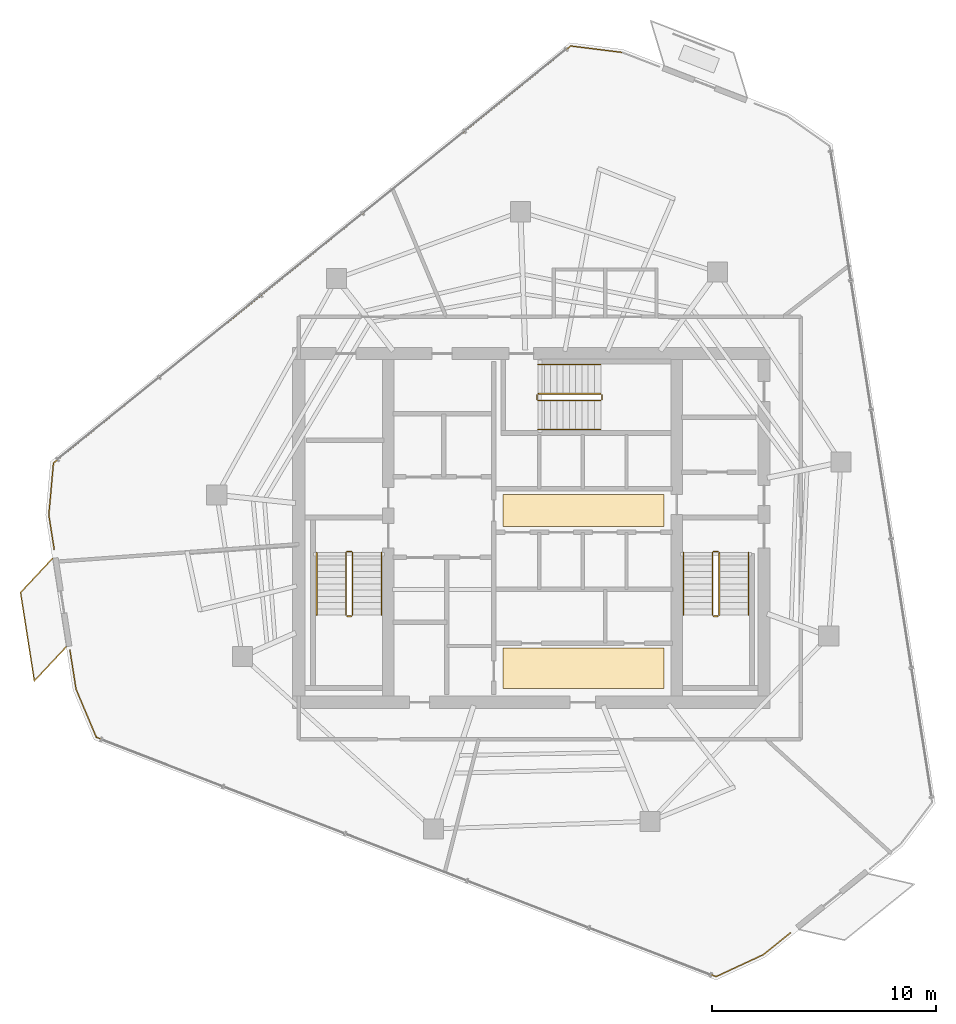
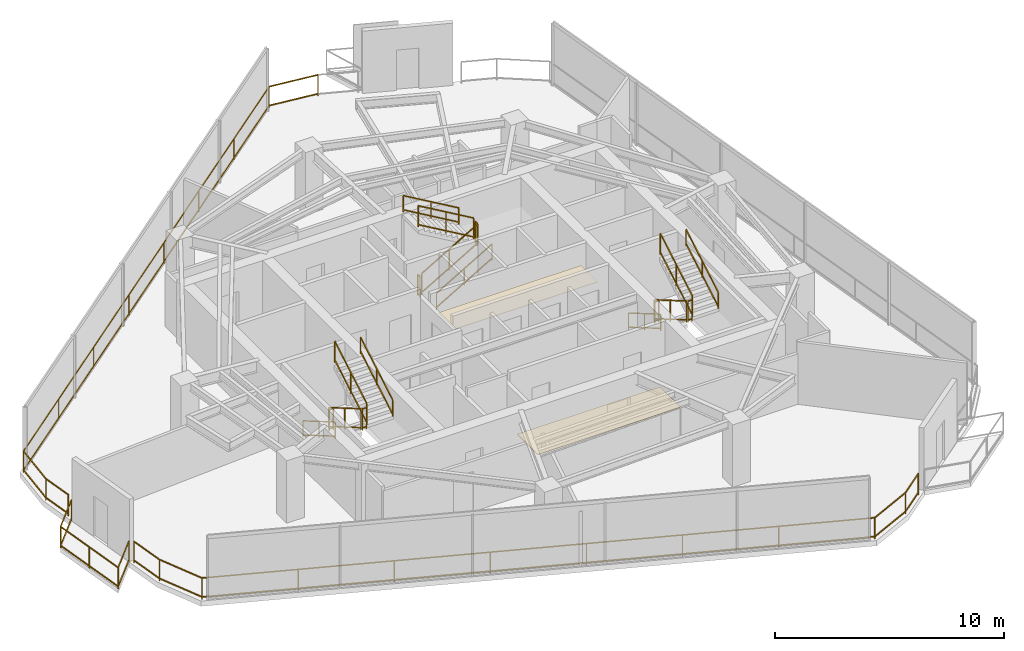
# One storey, part 18 of 19: 21 railings, 2 coverings.
"""IFC4 building model written with IfcOpenShell, lengths in metres."""

from ifc_helpers import new_model, si_unit, direction, frame, origin, origin_2d, place, context, subcontext, project, spatial, rectangle, extrude, material, layer, layer_set, type_object, element, save


model = new_model("IFC4")

# Units and contexts
model_context = context("Model", 3, precision=1e-05, world=origin(), true_north=direction((0.0, 1.0)))
body_context = subcontext(model_context, "Body", "Model", "MODEL_VIEW")
ifc_project = project(units=[si_unit("LENGTHUNIT", "METRE"), si_unit("AREAUNIT", "SQUARE_METRE"), si_unit("VOLUMEUNIT", "CUBIC_METRE"), si_unit("PLANEANGLEUNIT", "RADIAN"), si_unit("MASSUNIT", "GRAM", prefix="KILO")], contexts=[model_context])

# Site, building, storey
site_placement = place(None, origin())
site = spatial("IfcSite", under=ifc_project, at=site_placement, CompositionType="ELEMENT")
building_placement = place(site_placement, origin())
building = spatial("IfcBuilding", under=site, at=building_placement, Name="Qarnah Convention Tower", CompositionType="ELEMENT")
storey_placement = place(building_placement, frame((0.0, 0.0, 213.0)))
storey = spatial("IfcBuildingStorey", under=building, at=storey_placement, Name="L57", CompositionType="ELEMENT", Elevation=213.0)

# Coverings
ifc_material_1 = material(Name="Mineral fibre acoustic ceiling")
ifc_layer_1 = layer(ifc_material_1, 0.02001953125)
ifc_layer_set_1 = layer_set([ifc_layer_1], Name="Mineral fibre acoustic ceiling")
covering_type_1 = type_object("IfcCoveringType", Name="COV-CEIL-20", PredefinedType="CEILING", material=ifc_layer_set_1)
covering_1_placement = place(storey_placement, frame((39.52001953125, 27.179931640625, 2.2900390625), z_axis=(0.0, 0.0, 1.0), x_axis=(1.0, 0.0, 0.0)))
element("IfcCovering", 1, at=covering_1_placement, inside=storey, type_object=covering_type_1, Name="L57 lift lobby acoustic ceiling", PredefinedType="CEILING", context=body_context, shape_type="SweptSolid", body=[
    extrude(rectangle(XDim=7.199951171875, YDim=1.449951171875, at=origin_2d()), origin(), (0.0, 0.0, 1.0), 0.02001953125),
])
ifc_material_2 = material(Name="Porcelain stone floor tile", Category="masonry")
ifc_layer_2 = layer(ifc_material_2, 0.02001953125)
ifc_layer_set_2 = layer_set([ifc_layer_2], Name="Porcelain stone floor tile")
covering_type_2 = type_object("IfcCoveringType", Name="COV-FLOOR-20", PredefinedType="FLOORING", material=ifc_layer_set_2)
covering_2_placement = place(storey_placement, frame((39.52001953125, 20.1201171875, 0.0), z_axis=(0.0, 0.0, 1.0), x_axis=(1.0, 0.0, 0.0)))
element("IfcCovering", 2, at=covering_2_placement, inside=storey, type_object=covering_type_2, Name="L57 lift lobby porcelain stone flooring", PredefinedType="FLOORING", context=body_context, shape_type="SweptSolid", body=[
    extrude(rectangle(XDim=7.199951171875, YDim=1.800048828125, at=origin_2d()), origin(), (0.0, 0.0, 1.0), 0.02001953125),
])

# Railings
ifc_material_3 = material(Name="Black anodised aluminium", Category="aluminium")
railing_type_1 = type_object("IfcRailingType", Name="RL-EXT-GUARD-1150", PredefinedType="GUARDRAIL", material=ifc_material_3)
railing_1_placement = place(storey_placement, frame((48.784912109375, 8.2958984375, 0.0)))
element("IfcRailing", 3, at=railing_1_placement, inside=storey, type_object=railing_type_1, Name="L57 slab-edge perimeter safety guard 03", PredefinedType="GUARDRAIL", context=body_context, shape_type="SweptSolid", body=[
    extrude(rectangle(XDim=0.048095703125, YDim=0.048095703125, at=origin_2d()), frame((0.0, 0.0, 1.1259765625), z_axis=(-0.778575662664, -0.627550744966, 0.0), x_axis=(0.627550744966, -0.778575662664, 0.0)), (0.0, 0.0, 1.0), 1.5615234375),
    extrude(rectangle(XDim=0.048095703125, YDim=0.048095703125, at=origin_2d()), frame((0.0, 0.0, 0.1201171875), z_axis=(-0.778575662664, -0.627550744966, 0.0), x_axis=(0.627550744966, -0.778575662664, 0.0)), (0.0, 0.0, 1.0), 1.5615234375),
    extrude(rectangle(XDim=0.048095703125, YDim=0.048095703125, at=origin_2d()), frame((-1.2158203125, -0.97998046875, 1.1259765625), z_axis=(-0.907110496694, -0.420892559673, 0.0), x_axis=(0.420892559673, -0.907110496694, 0.0)), (0.0, 0.0, 1.0), 2.328369140625),
    extrude(rectangle(XDim=0.048095703125, YDim=0.048095703125, at=origin_2d()), frame((-1.2158203125, -0.97998046875, 0.1201171875), z_axis=(-0.907110496694, -0.420892559673, 0.0), x_axis=(0.420892559673, -0.907110496694, 0.0)), (0.0, 0.0, 1.0), 2.328369140625),
    extrude(rectangle(XDim=0.048095703125, YDim=0.048095703125, at=origin_2d()), frame((-3.327880859375, -1.9599609375, 1.1259765625), z_axis=(-0.932825566975, 0.360328269218, 0.0), x_axis=(-0.360328269218, -0.932825566975, 0.0)), (0.0, 0.0, 1.0), 29.7119140625),
    extrude(rectangle(XDim=0.048095703125, YDim=0.048095703125, at=origin_2d()), frame((-3.327880859375, -1.9599609375, 0.1201171875), z_axis=(-0.932825566975, 0.360328269218, 0.0), x_axis=(-0.360328269218, -0.932825566975, 0.0)), (0.0, 0.0, 1.0), 29.7119140625),
    extrude(rectangle(XDim=0.048095703125, YDim=0.048095703125, at=origin_2d()), frame((-31.0439453125, 8.74609375, 1.1259765625), z_axis=(-0.388586487526, 0.921412253941, 0.0), x_axis=(-0.921412253941, -0.388586487526, 0.0)), (0.0, 0.0, 1.0), 2.3291015625),
    extrude(rectangle(XDim=0.048095703125, YDim=0.048095703125, at=origin_2d()), frame((-31.0439453125, 8.74609375, 0.1201171875), z_axis=(-0.388586487526, 0.921412253941, 0.0), x_axis=(-0.921412253941, -0.388586487526, 0.0)), (0.0, 0.0, 1.0), 2.3291015625),
    extrude(rectangle(XDim=0.048095703125, YDim=0.048095703125, at=origin_2d()), frame((-31.948974609375, 10.89208984375, 1.1259765625), z_axis=(-0.154730245654, 0.987956755673, 0.0), x_axis=(-0.987956755673, -0.154730245654, 0.0)), (0.0, 0.0, 1.0), 1.770263671875),
    extrude(rectangle(XDim=0.048095703125, YDim=0.048095703125, at=origin_2d()), frame((-31.948974609375, 10.89208984375, 0.1201171875), z_axis=(-0.154730245654, 0.987956755673, 0.0), x_axis=(-0.987956755673, -0.154730245654, 0.0)), (0.0, 0.0, 1.0), 1.770263671875),
    extrude(rectangle(XDim=0.0419921875, YDim=0.0419921875, at=origin_2d()), origin(), (0.0, 0.0, 1.0), 1.101806640625),
    extrude(rectangle(XDim=0.0419921875, YDim=0.0419921875, at=origin_2d()), frame((-1.2158203125, -0.97998046875, 0.0)), (0.0, 0.0, 1.0), 1.101806640625),
    extrude(rectangle(XDim=0.0419921875, YDim=0.0419921875, at=origin_2d()), frame((-3.327880859375, -1.9599609375, 0.0)), (0.0, 0.0, 1.0), 1.101806640625),
    extrude(rectangle(XDim=0.0419921875, YDim=0.0419921875, at=origin_2d()), frame((-7.287353515625, -0.430419921875, 0.0)), (0.0, 0.0, 1.0), 1.101806640625),
    extrude(rectangle(XDim=0.0419921875, YDim=0.0419921875, at=origin_2d()), frame((-11.246826171875, 1.098876953125, 0.0)), (0.0, 0.0, 1.0), 1.101806640625),
    extrude(rectangle(XDim=0.0419921875, YDim=0.0419921875, at=origin_2d()), frame((-15.206298828125, 2.62841796875, 0.0)), (0.0, 0.0, 1.0), 1.101806640625),
    extrude(rectangle(XDim=0.0419921875, YDim=0.0419921875, at=origin_2d()), frame((-19.16552734375, 4.15771484375, 0.0)), (0.0, 0.0, 1.0), 1.101806640625),
    extrude(rectangle(XDim=0.0419921875, YDim=0.0419921875, at=origin_2d()), frame((-23.125, 5.687255859375, 0.0)), (0.0, 0.0, 1.0), 1.101806640625),
    extrude(rectangle(XDim=0.0419921875, YDim=0.0419921875, at=origin_2d()), frame((-27.08447265625, 7.216552734375, 0.0)), (0.0, 0.0, 1.0), 1.101806640625),
    extrude(rectangle(XDim=0.0419921875, YDim=0.0419921875, at=origin_2d()), frame((-31.0439453125, 8.74609375, 0.0)), (0.0, 0.0, 1.0), 1.101806640625),
    extrude(rectangle(XDim=0.0419921875, YDim=0.0419921875, at=origin_2d()), frame((-31.948974609375, 10.89208984375, 0.0)), (0.0, 0.0, 1.0), 1.101806640625),
    extrude(rectangle(XDim=0.0419921875, YDim=0.0419921875, at=origin_2d()), frame((-32.222900390625, 12.64111328125, 0.0)), (0.0, 0.0, 1.0), 1.101806640625),
])
railing_2_placement = place(storey_placement, frame((15.85888671875, 25.44091796875, 0.0)))
element("IfcRailing", 4, at=railing_2_placement, inside=storey, type_object=railing_type_1, Name="L57 slab-edge perimeter safety guard 04", PredefinedType="GUARDRAIL", context=body_context, shape_type="SweptSolid", body=[
    extrude(rectangle(XDim=0.048095703125, YDim=0.048095703125, at=origin_2d()), frame((0.0, 0.0, 1.1259765625), z_axis=(-0.154395967931, 0.988009051116, 0.0), x_axis=(-0.988009051116, -0.154395967931, 0.0)), (0.0, 0.0, 1.0), 1.560791015625),
    extrude(rectangle(XDim=0.048095703125, YDim=0.048095703125, at=origin_2d()), frame((0.0, 0.0, 0.1201171875), z_axis=(-0.154395967931, 0.988009051116, 0.0), x_axis=(-0.988009051116, -0.154395967931, 0.0)), (0.0, 0.0, 1.0), 1.560791015625),
    extrude(rectangle(XDim=0.048095703125, YDim=0.048095703125, at=origin_2d()), frame((-0.240966796875, 1.5419921875, 1.1259765625), z_axis=(0.089335023851, 0.996001633289, 0.0), x_axis=(-0.996001633289, 0.089335023851, 0.0)), (0.0, 0.0, 1.0), 2.328369140625),
    extrude(rectangle(XDim=0.048095703125, YDim=0.048095703125, at=origin_2d()), frame((-0.240966796875, 1.5419921875, 0.1201171875), z_axis=(0.089335023851, 0.996001633289, 0.0), x_axis=(-0.996001633289, 0.089335023851, 0.0)), (0.0, 0.0, 1.0), 2.328369140625),
    extrude(rectangle(XDim=0.048095703125, YDim=0.048095703125, at=origin_2d()), frame((-0.032958984375, 3.861083984375, 1.1259765625), z_axis=(0.778469378002, 0.627682585001, 0.0), x_axis=(-0.627682585001, 0.778469378002, 0.0)), (0.0, 0.0, 1.0), 29.71240234375),
    extrude(rectangle(XDim=0.048095703125, YDim=0.048095703125, at=origin_2d()), frame((-0.032958984375, 3.861083984375, 0.1201171875), z_axis=(0.778469378002, 0.627682585001, 0.0), x_axis=(-0.627682585001, 0.778469378002, 0.0)), (0.0, 0.0, 1.0), 29.71240234375),
    extrude(rectangle(XDim=0.048095703125, YDim=0.048095703125, at=origin_2d()), frame((23.09716796875, 22.510986328125, 1.1259765625), z_axis=(0.992274649626, -0.124060548563, 0.0), x_axis=(0.124060548563, 0.992274649626, 0.0)), (0.0, 0.0, 1.0), 2.328125),
    extrude(rectangle(XDim=0.048095703125, YDim=0.048095703125, at=origin_2d()), frame((23.09716796875, 22.510986328125, 0.1201171875), z_axis=(0.992274649626, -0.124060548563, 0.0), x_axis=(0.124060548563, 0.992274649626, 0.0)), (0.0, 0.0, 1.0), 2.328125),
    extrude(rectangle(XDim=0.0419921875, YDim=0.0419921875, at=origin_2d()), origin(), (0.0, 0.0, 1.0), 1.101806640625),
    extrude(rectangle(XDim=0.0419921875, YDim=0.0419921875, at=origin_2d()), frame((-0.240966796875, 1.5419921875, 0.0)), (0.0, 0.0, 1.0), 1.101806640625),
    extrude(rectangle(XDim=0.0419921875, YDim=0.0419921875, at=origin_2d()), frame((-0.032958984375, 3.861083984375, 0.0)), (0.0, 0.0, 1.0), 1.101806640625),
    extrude(rectangle(XDim=0.0419921875, YDim=0.0419921875, at=origin_2d()), frame((3.271240234375, 6.525390625, 0.0)), (0.0, 0.0, 1.0), 1.101806640625),
    extrude(rectangle(XDim=0.0419921875, YDim=0.0419921875, at=origin_2d()), frame((6.57568359375, 9.189697265625, 0.0)), (0.0, 0.0, 1.0), 1.101806640625),
    extrude(rectangle(XDim=0.0419921875, YDim=0.0419921875, at=origin_2d()), frame((9.8798828125, 11.85400390625, 0.0)), (0.0, 0.0, 1.0), 1.101806640625),
    extrude(rectangle(XDim=0.0419921875, YDim=0.0419921875, at=origin_2d()), frame((13.184326171875, 14.51806640625, 0.0)), (0.0, 0.0, 1.0), 1.101806640625),
    extrude(rectangle(XDim=0.0419921875, YDim=0.0419921875, at=origin_2d()), frame((16.488525390625, 17.182373046875, 0.0)), (0.0, 0.0, 1.0), 1.101806640625),
    extrude(rectangle(XDim=0.0419921875, YDim=0.0419921875, at=origin_2d()), frame((19.79296875, 19.8466796875, 0.0)), (0.0, 0.0, 1.0), 1.101806640625),
    extrude(rectangle(XDim=0.0419921875, YDim=0.0419921875, at=origin_2d()), frame((23.09716796875, 22.510986328125, 0.0)), (0.0, 0.0, 1.0), 1.101806640625),
    extrude(rectangle(XDim=0.0419921875, YDim=0.0419921875, at=origin_2d()), frame((25.4072265625, 22.22216796875, 0.0)), (0.0, 0.0, 1.0), 1.101806640625),
])
railing_3_placement = place(storey_placement, frame((16.402099609375, 21.087890625, 0.0)))
element("IfcRailing", 5, at=railing_3_placement, inside=storey, type_object=railing_type_1, Name="L57 balcony safety guard BAL-L57-C2", PredefinedType="GUARDRAIL", context=body_context, shape_type="SweptSolid", body=[
    extrude(rectangle(XDim=0.048095703125, YDim=0.048095703125, at=origin_2d()), frame((0.0, 0.0, 1.1259765625), z_axis=(-0.6836384831, -0.729820816656, 0.0), x_axis=(0.729820816656, -0.6836384831, 0.0)), (0.0, 0.0, 1.0), 2.093505859375),
    extrude(rectangle(XDim=0.048095703125, YDim=0.048095703125, at=origin_2d()), frame((0.0, 0.0, 0.1201171875), z_axis=(-0.6836384831, -0.729820816656, 0.0), x_axis=(0.729820816656, -0.6836384831, 0.0)), (0.0, 0.0, 1.0), 2.093505859375),
    extrude(rectangle(XDim=0.048095703125, YDim=0.048095703125, at=origin_2d()), frame((-1.43115234375, -1.52783203125, 1.1259765625), z_axis=(-0.154483009324, 0.987995445248, 0.0), x_axis=(-0.987995445248, -0.154483009324, 0.0)), (0.0, 0.0, 1.0), 4.0),
    extrude(rectangle(XDim=0.048095703125, YDim=0.048095703125, at=origin_2d()), frame((-1.43115234375, -1.52783203125, 0.1201171875), z_axis=(-0.154483009324, 0.987995445248, 0.0), x_axis=(-0.987995445248, -0.154483009324, 0.0)), (0.0, 0.0, 1.0), 4.0),
    extrude(rectangle(XDim=0.048095703125, YDim=0.048095703125, at=origin_2d()), frame((-2.049072265625, 2.424072265625, 1.1259765625), z_axis=(0.683766596514, 0.729700789017, 0.0), x_axis=(-0.729700789017, 0.683766596514, 0.0)), (0.0, 0.0, 1.0), 2.093994140625),
    extrude(rectangle(XDim=0.048095703125, YDim=0.048095703125, at=origin_2d()), frame((-2.049072265625, 2.424072265625, 0.1201171875), z_axis=(0.683766596514, 0.729700789017, 0.0), x_axis=(-0.729700789017, 0.683766596514, 0.0)), (0.0, 0.0, 1.0), 2.093994140625),
    extrude(rectangle(XDim=0.0419921875, YDim=0.0419921875, at=origin_2d()), origin(), (0.0, 0.0, 1.0), 1.101806640625),
    extrude(rectangle(XDim=0.0419921875, YDim=0.0419921875, at=origin_2d()), frame((-1.43115234375, -1.52783203125, 0.0)), (0.0, 0.0, 1.0), 1.101806640625),
    extrude(rectangle(XDim=0.0419921875, YDim=0.0419921875, at=origin_2d()), frame((-1.740234375, 0.4482421875, 0.0)), (0.0, 0.0, 1.0), 1.101806640625),
    extrude(rectangle(XDim=0.0419921875, YDim=0.0419921875, at=origin_2d()), frame((-2.049072265625, 2.424072265625, 0.0)), (0.0, 0.0, 1.0), 1.101806640625),
    extrude(rectangle(XDim=0.0419921875, YDim=0.0419921875, at=origin_2d()), frame((-0.6171875, 3.9521484375, 0.0)), (0.0, 0.0, 1.0), 1.101806640625),
])
ifc_material_4 = material(Name="Structural steel S355JR", Category="steel")
railing_type_2 = type_object("IfcRailingType", Name="RL-STAIR-GUARD-1150", PredefinedType="GUARDRAIL", material=ifc_material_4)
railing_4_placement = place(storey_placement, frame((28.89990234375, 25.300048828125, 0.16357421875)))
element("IfcRailing", 6, at=railing_4_placement, inside=storey, type_object=railing_type_2, Name="L57 ST-1 stair guard 1", PredefinedType="GUARDRAIL", context=body_context, shape_type="SweptSolid", body=[
    extrude(rectangle(XDim=0.048095703125, YDim=0.048095703125, at=origin_2d()), frame((0.0, 0.0, 1.1259765625), z_axis=(0.0, -0.863360870873, 0.504586966384), x_axis=(1.0, 0.0, 0.0)), (0.0, 0.0, 1.0), 3.2431640625),
    extrude(rectangle(XDim=0.048095703125, YDim=0.048095703125, at=origin_2d()), frame((0.0, 0.0, 0.1201171875), z_axis=(0.0, -0.863360870873, 0.504586966384), x_axis=(1.0, 0.0, 0.0)), (0.0, 0.0, 1.0), 3.2431640625),
    extrude(rectangle(XDim=0.0419921875, YDim=0.0419921875, at=origin_2d()), origin(), (0.0, 0.0, 1.0), 1.101806640625),
    extrude(rectangle(XDim=0.0419921875, YDim=0.0419921875, at=origin_2d()), frame((0.0, -1.39990234375, 0.818359375)), (0.0, 0.0, 1.0), 1.101806640625),
    extrude(rectangle(XDim=0.0419921875, YDim=0.0419921875, at=origin_2d()), frame((0.0, -2.800048828125, 1.636474609375)), (0.0, 0.0, 1.0), 1.101806640625),
])
railing_5_placement = place(storey_placement, frame((28.949951171875, 22.449951171875, 1.800048828125)))
element("IfcRailing", 7, at=railing_5_placement, inside=storey, type_object=railing_type_2, Name="L57 ST-1 stair guard 2", PredefinedType="GUARDRAIL", context=body_context, shape_type="SweptSolid", body=[
    extrude(rectangle(XDim=0.048095703125, YDim=0.048095703125, at=origin_2d()), frame((0.0, 0.0, 1.1259765625), z_axis=(1.0, 0.0, 0.0), x_axis=(0.0, 1.0, 0.0)), (0.0, 0.0, 1.0), 0.199951171875),
    extrude(rectangle(XDim=0.048095703125, YDim=0.048095703125, at=origin_2d()), frame((0.0, 0.0, 0.1201171875), z_axis=(1.0, 0.0, 0.0), x_axis=(0.0, 1.0, 0.0)), (0.0, 0.0, 1.0), 0.199951171875),
    extrude(rectangle(XDim=0.0419921875, YDim=0.0419921875, at=origin_2d()), origin(), (0.0, 0.0, 1.0), 1.101806640625),
    extrude(rectangle(XDim=0.0419921875, YDim=0.0419921875, at=origin_2d()), frame((0.199951171875, 0.0, 0.0)), (0.0, 0.0, 1.0), 1.101806640625),
])
railing_6_placement = place(storey_placement, frame((29.199951171875, 22.5, 1.963623046875)))
element("IfcRailing", 8, at=railing_6_placement, inside=storey, type_object=railing_type_2, Name="L57 ST-1 stair guard 3", PredefinedType="GUARDRAIL", context=body_context, shape_type="SweptSolid", body=[
    extrude(rectangle(XDim=0.048095703125, YDim=0.048095703125, at=origin_2d()), frame((0.0, 0.0, 1.1259765625), z_axis=(0.0, 0.863360870873, 0.504586966384), x_axis=(-1.0, 0.0, 0.0)), (0.0, 0.0, 1.0), 3.2431640625),
    extrude(rectangle(XDim=0.048095703125, YDim=0.048095703125, at=origin_2d()), frame((0.0, 0.0, 0.1201171875), z_axis=(0.0, 0.863360870873, 0.504586966384), x_axis=(-1.0, 0.0, 0.0)), (0.0, 0.0, 1.0), 3.2431640625),
    extrude(rectangle(XDim=0.0419921875, YDim=0.0419921875, at=origin_2d()), origin(), (0.0, 0.0, 1.0), 1.101806640625),
    extrude(rectangle(XDim=0.0419921875, YDim=0.0419921875, at=origin_2d()), frame((0.0, 1.39990234375, 0.818359375)), (0.0, 0.0, 1.0), 1.101806640625),
    extrude(rectangle(XDim=0.0419921875, YDim=0.0419921875, at=origin_2d()), frame((0.0, 2.800048828125, 1.636474609375)), (0.0, 0.0, 1.0), 1.101806640625),
])
railing_7_placement = place(storey_placement, frame((28.949951171875, 25.35009765625, 0.0)))
element("IfcRailing", 9, at=railing_7_placement, inside=storey, type_object=railing_type_2, Name="L57 ST-1 stair guard 4", PredefinedType="GUARDRAIL", context=body_context, shape_type="SweptSolid", body=[
    extrude(rectangle(XDim=0.048095703125, YDim=0.048095703125, at=origin_2d()), frame((0.0, 0.0, 1.1259765625), z_axis=(1.0, 0.0, 0.0), x_axis=(0.0, 1.0, 0.0)), (0.0, 0.0, 1.0), 0.199951171875),
    extrude(rectangle(XDim=0.048095703125, YDim=0.048095703125, at=origin_2d()), frame((0.0, 0.0, 0.1201171875), z_axis=(1.0, 0.0, 0.0), x_axis=(0.0, 1.0, 0.0)), (0.0, 0.0, 1.0), 0.199951171875),
    extrude(rectangle(XDim=0.0419921875, YDim=0.0419921875, at=origin_2d()), origin(), (0.0, 0.0, 1.0), 1.101806640625),
    extrude(rectangle(XDim=0.0419921875, YDim=0.0419921875, at=origin_2d()), frame((0.199951171875, 0.0, 0.0)), (0.0, 0.0, 1.0), 1.101806640625),
])
railing_8_placement = place(storey_placement, frame((45.300048828125, 25.300048828125, 0.16357421875)))
element("IfcRailing", 10, at=railing_8_placement, inside=storey, type_object=railing_type_2, Name="L57 ST-2 stair guard 1", PredefinedType="GUARDRAIL", context=body_context, shape_type="SweptSolid", body=[
    extrude(rectangle(XDim=0.048095703125, YDim=0.048095703125, at=origin_2d()), frame((0.0, 0.0, 1.1259765625), z_axis=(0.0, -0.863360870873, 0.504586966384), x_axis=(1.0, 0.0, 0.0)), (0.0, 0.0, 1.0), 3.2431640625),
    extrude(rectangle(XDim=0.048095703125, YDim=0.048095703125, at=origin_2d()), frame((0.0, 0.0, 0.1201171875), z_axis=(0.0, -0.863360870873, 0.504586966384), x_axis=(1.0, 0.0, 0.0)), (0.0, 0.0, 1.0), 3.2431640625),
    extrude(rectangle(XDim=0.0419921875, YDim=0.0419921875, at=origin_2d()), origin(), (0.0, 0.0, 1.0), 1.101806640625),
    extrude(rectangle(XDim=0.0419921875, YDim=0.0419921875, at=origin_2d()), frame((0.0, -1.39990234375, 0.818359375)), (0.0, 0.0, 1.0), 1.101806640625),
    extrude(rectangle(XDim=0.0419921875, YDim=0.0419921875, at=origin_2d()), frame((0.0, -2.800048828125, 1.636474609375)), (0.0, 0.0, 1.0), 1.101806640625),
])
railing_9_placement = place(storey_placement, frame((45.35009765625, 22.449951171875, 1.800048828125)))
element("IfcRailing", 11, at=railing_9_placement, inside=storey, type_object=railing_type_2, Name="L57 ST-2 stair guard 2", PredefinedType="GUARDRAIL", context=body_context, shape_type="SweptSolid", body=[
    extrude(rectangle(XDim=0.048095703125, YDim=0.048095703125, at=origin_2d()), frame((0.0, 0.0, 1.1259765625), z_axis=(1.0, 0.0, 0.0), x_axis=(0.0, 1.0, 0.0)), (0.0, 0.0, 1.0), 0.199951171875),
    extrude(rectangle(XDim=0.048095703125, YDim=0.048095703125, at=origin_2d()), frame((0.0, 0.0, 0.1201171875), z_axis=(1.0, 0.0, 0.0), x_axis=(0.0, 1.0, 0.0)), (0.0, 0.0, 1.0), 0.199951171875),
    extrude(rectangle(XDim=0.0419921875, YDim=0.0419921875, at=origin_2d()), origin(), (0.0, 0.0, 1.0), 1.101806640625),
    extrude(rectangle(XDim=0.0419921875, YDim=0.0419921875, at=origin_2d()), frame((0.199951171875, 0.0, 0.0)), (0.0, 0.0, 1.0), 1.101806640625),
])
railing_10_placement = place(storey_placement, frame((45.60009765625, 22.5, 1.963623046875)))
element("IfcRailing", 12, at=railing_10_placement, inside=storey, type_object=railing_type_2, Name="L57 ST-2 stair guard 3", PredefinedType="GUARDRAIL", context=body_context, shape_type="SweptSolid", body=[
    extrude(rectangle(XDim=0.048095703125, YDim=0.048095703125, at=origin_2d()), frame((0.0, 0.0, 1.1259765625), z_axis=(0.0, 0.863360870873, 0.504586966384), x_axis=(-1.0, 0.0, 0.0)), (0.0, 0.0, 1.0), 3.2431640625),
    extrude(rectangle(XDim=0.048095703125, YDim=0.048095703125, at=origin_2d()), frame((0.0, 0.0, 0.1201171875), z_axis=(0.0, 0.863360870873, 0.504586966384), x_axis=(-1.0, 0.0, 0.0)), (0.0, 0.0, 1.0), 3.2431640625),
    extrude(rectangle(XDim=0.0419921875, YDim=0.0419921875, at=origin_2d()), origin(), (0.0, 0.0, 1.0), 1.101806640625),
    extrude(rectangle(XDim=0.0419921875, YDim=0.0419921875, at=origin_2d()), frame((0.0, 1.39990234375, 0.818359375)), (0.0, 0.0, 1.0), 1.101806640625),
    extrude(rectangle(XDim=0.0419921875, YDim=0.0419921875, at=origin_2d()), frame((0.0, 2.800048828125, 1.636474609375)), (0.0, 0.0, 1.0), 1.101806640625),
])
railing_11_placement = place(storey_placement, frame((45.35009765625, 25.35009765625, 0.0)))
element("IfcRailing", 13, at=railing_11_placement, inside=storey, type_object=railing_type_2, Name="L57 ST-2 stair guard 4", PredefinedType="GUARDRAIL", context=body_context, shape_type="SweptSolid", body=[
    extrude(rectangle(XDim=0.048095703125, YDim=0.048095703125, at=origin_2d()), frame((0.0, 0.0, 1.1259765625), z_axis=(1.0, 0.0, 0.0), x_axis=(0.0, 1.0, 0.0)), (0.0, 0.0, 1.0), 0.199951171875),
    extrude(rectangle(XDim=0.048095703125, YDim=0.048095703125, at=origin_2d()), frame((0.0, 0.0, 0.1201171875), z_axis=(1.0, 0.0, 0.0), x_axis=(0.0, 1.0, 0.0)), (0.0, 0.0, 1.0), 0.199951171875),
    extrude(rectangle(XDim=0.0419921875, YDim=0.0419921875, at=origin_2d()), origin(), (0.0, 0.0, 1.0), 1.101806640625),
    extrude(rectangle(XDim=0.0419921875, YDim=0.0419921875, at=origin_2d()), frame((0.199951171875, 0.0, 0.0)), (0.0, 0.0, 1.0), 1.101806640625),
])
railing_12_placement = place(storey_placement, frame((37.5, 32.10009765625, 0.16357421875)))
element("IfcRailing", 14, at=railing_12_placement, inside=storey, type_object=railing_type_2, Name="L57 ST-3 stair guard 1", PredefinedType="GUARDRAIL", context=body_context, shape_type="SweptSolid", body=[
    extrude(rectangle(XDim=0.048095703125, YDim=0.048095703125, at=origin_2d()), frame((0.0, 0.0, 1.1259765625), z_axis=(0.863360870873, 0.0, 0.504586966384), x_axis=(0.0, 1.0, 0.0)), (0.0, 0.0, 1.0), 3.2431640625),
    extrude(rectangle(XDim=0.048095703125, YDim=0.048095703125, at=origin_2d()), frame((0.0, 0.0, 0.1201171875), z_axis=(0.863360870873, 0.0, 0.504586966384), x_axis=(0.0, 1.0, 0.0)), (0.0, 0.0, 1.0), 3.2431640625),
    extrude(rectangle(XDim=0.0419921875, YDim=0.0419921875, at=origin_2d()), origin(), (0.0, 0.0, 1.0), 1.101806640625),
    extrude(rectangle(XDim=0.0419921875, YDim=0.0419921875, at=origin_2d()), frame((1.39990234375, 0.0, 0.818359375)), (0.0, 0.0, 1.0), 1.101806640625),
    extrude(rectangle(XDim=0.0419921875, YDim=0.0419921875, at=origin_2d()), frame((2.800048828125, 0.0, 1.636474609375)), (0.0, 0.0, 1.0), 1.101806640625),
])
railing_13_placement = place(storey_placement, frame((40.35009765625, 32.14990234375, 1.800048828125)))
element("IfcRailing", 15, at=railing_13_placement, inside=storey, type_object=railing_type_2, Name="L57 ST-3 stair guard 2", PredefinedType="GUARDRAIL", context=body_context, shape_type="SweptSolid", body=[
    extrude(rectangle(XDim=0.048095703125, YDim=0.048095703125, at=origin_2d()), frame((0.0, 0.0, 1.1259765625), z_axis=(0.0, 1.0, 0.0), x_axis=(-1.0, 0.0, 0.0)), (0.0, 0.0, 1.0), 0.2001953125),
    extrude(rectangle(XDim=0.048095703125, YDim=0.048095703125, at=origin_2d()), frame((0.0, 0.0, 0.1201171875), z_axis=(0.0, 1.0, 0.0), x_axis=(-1.0, 0.0, 0.0)), (0.0, 0.0, 1.0), 0.2001953125),
    extrude(rectangle(XDim=0.0419921875, YDim=0.0419921875, at=origin_2d()), origin(), (0.0, 0.0, 1.0), 1.101806640625),
    extrude(rectangle(XDim=0.0419921875, YDim=0.0419921875, at=origin_2d()), frame((0.0, 0.2001953125, 0.0)), (0.0, 0.0, 1.0), 1.101806640625),
])
railing_14_placement = place(storey_placement, frame((40.300048828125, 32.39990234375, 1.963623046875)))
element("IfcRailing", 16, at=railing_14_placement, inside=storey, type_object=railing_type_2, Name="L57 ST-3 stair guard 3", PredefinedType="GUARDRAIL", context=body_context, shape_type="SweptSolid", body=[
    extrude(rectangle(XDim=0.048095703125, YDim=0.048095703125, at=origin_2d()), frame((0.0, 0.0, 1.1259765625), z_axis=(-0.863360870873, 0.0, 0.504586966384), x_axis=(0.0, -1.0, 0.0)), (0.0, 0.0, 1.0), 3.2431640625),
    extrude(rectangle(XDim=0.048095703125, YDim=0.048095703125, at=origin_2d()), frame((0.0, 0.0, 0.1201171875), z_axis=(-0.863360870873, 0.0, 0.504586966384), x_axis=(0.0, -1.0, 0.0)), (0.0, 0.0, 1.0), 3.2431640625),
    extrude(rectangle(XDim=0.0419921875, YDim=0.0419921875, at=origin_2d()), origin(), (0.0, 0.0, 1.0), 1.101806640625),
    extrude(rectangle(XDim=0.0419921875, YDim=0.0419921875, at=origin_2d()), frame((-1.39990234375, 0.0, 0.818359375)), (0.0, 0.0, 1.0), 1.101806640625),
    extrude(rectangle(XDim=0.0419921875, YDim=0.0419921875, at=origin_2d()), frame((-2.800048828125, 0.0, 1.636474609375)), (0.0, 0.0, 1.0), 1.101806640625),
])
railing_15_placement = place(storey_placement, frame((37.449951171875, 32.14990234375, 0.0)))
element("IfcRailing", 17, at=railing_15_placement, inside=storey, type_object=railing_type_2, Name="L57 ST-3 stair guard 4", PredefinedType="GUARDRAIL", context=body_context, shape_type="SweptSolid", body=[
    extrude(rectangle(XDim=0.048095703125, YDim=0.048095703125, at=origin_2d()), frame((0.0, 0.0, 1.1259765625), z_axis=(0.0, 1.0, 0.0), x_axis=(-1.0, 0.0, 0.0)), (0.0, 0.0, 1.0), 0.2001953125),
    extrude(rectangle(XDim=0.048095703125, YDim=0.048095703125, at=origin_2d()), frame((0.0, 0.0, 0.1201171875), z_axis=(0.0, 1.0, 0.0), x_axis=(-1.0, 0.0, 0.0)), (0.0, 0.0, 1.0), 0.2001953125),
    extrude(rectangle(XDim=0.0419921875, YDim=0.0419921875, at=origin_2d()), origin(), (0.0, 0.0, 1.0), 1.101806640625),
    extrude(rectangle(XDim=0.0419921875, YDim=0.0419921875, at=origin_2d()), frame((0.0, 0.2001953125, 0.0)), (0.0, 0.0, 1.0), 1.101806640625),
])
railing_type_3 = type_object("IfcRailingType", Name="RL-STAIR-HAND-900", PredefinedType="HANDRAIL", material=ifc_material_4)
railing_16_placement = place(storey_placement, frame((27.60009765625, 25.300048828125, 0.16357421875)))
element("IfcRailing", 18, at=railing_16_placement, inside=storey, type_object=railing_type_3, Name="L57 ST-1 stair handrail 1", PredefinedType="HANDRAIL", context=body_context, shape_type="SweptSolid", body=[
    extrude(rectangle(XDim=0.048095703125, YDim=0.048095703125, at=origin_2d()), frame((0.0, 0.0, 0.8759765625), z_axis=(0.0, -0.863360870873, 0.504586966384), x_axis=(1.0, 0.0, 0.0)), (0.0, 0.0, 1.0), 3.2431640625),
    extrude(rectangle(XDim=0.048095703125, YDim=0.048095703125, at=origin_2d()), frame((0.0, 0.0, 0.1201171875), z_axis=(0.0, -0.863360870873, 0.504586966384), x_axis=(1.0, 0.0, 0.0)), (0.0, 0.0, 1.0), 3.2431640625),
    extrude(rectangle(XDim=0.0419921875, YDim=0.0419921875, at=origin_2d()), origin(), (0.0, 0.0, 1.0), 0.851806640625),
    extrude(rectangle(XDim=0.0419921875, YDim=0.0419921875, at=origin_2d()), frame((0.0, -1.39990234375, 0.818359375)), (0.0, 0.0, 1.0), 0.851806640625),
    extrude(rectangle(XDim=0.0419921875, YDim=0.0419921875, at=origin_2d()), frame((0.0, -2.800048828125, 1.636474609375)), (0.0, 0.0, 1.0), 0.851806640625),
])
railing_17_placement = place(storey_placement, frame((30.5, 22.5, 1.963623046875)))
element("IfcRailing", 19, at=railing_17_placement, inside=storey, type_object=railing_type_3, Name="L57 ST-1 stair handrail 2", PredefinedType="HANDRAIL", context=body_context, shape_type="SweptSolid", body=[
    extrude(rectangle(XDim=0.048095703125, YDim=0.048095703125, at=origin_2d()), frame((0.0, 0.0, 0.8759765625), z_axis=(0.0, 0.863360870873, 0.504586966384), x_axis=(-1.0, 0.0, 0.0)), (0.0, 0.0, 1.0), 3.2431640625),
    extrude(rectangle(XDim=0.048095703125, YDim=0.048095703125, at=origin_2d()), frame((0.0, 0.0, 0.1201171875), z_axis=(0.0, 0.863360870873, 0.504586966384), x_axis=(-1.0, 0.0, 0.0)), (0.0, 0.0, 1.0), 3.2431640625),
    extrude(rectangle(XDim=0.0419921875, YDim=0.0419921875, at=origin_2d()), origin(), (0.0, 0.0, 1.0), 0.851806640625),
    extrude(rectangle(XDim=0.0419921875, YDim=0.0419921875, at=origin_2d()), frame((0.0, 1.39990234375, 0.818359375)), (0.0, 0.0, 1.0), 0.851806640625),
    extrude(rectangle(XDim=0.0419921875, YDim=0.0419921875, at=origin_2d()), frame((0.0, 2.800048828125, 1.636474609375)), (0.0, 0.0, 1.0), 0.851806640625),
])
railing_18_placement = place(storey_placement, frame((44.0, 25.300048828125, 0.16357421875)))
element("IfcRailing", 20, at=railing_18_placement, inside=storey, type_object=railing_type_3, Name="L57 ST-2 stair handrail 1", PredefinedType="HANDRAIL", context=body_context, shape_type="SweptSolid", body=[
    extrude(rectangle(XDim=0.048095703125, YDim=0.048095703125, at=origin_2d()), frame((0.0, 0.0, 0.8759765625), z_axis=(0.0, -0.863360870873, 0.504586966384), x_axis=(1.0, 0.0, 0.0)), (0.0, 0.0, 1.0), 3.2431640625),
    extrude(rectangle(XDim=0.048095703125, YDim=0.048095703125, at=origin_2d()), frame((0.0, 0.0, 0.1201171875), z_axis=(0.0, -0.863360870873, 0.504586966384), x_axis=(1.0, 0.0, 0.0)), (0.0, 0.0, 1.0), 3.2431640625),
    extrude(rectangle(XDim=0.0419921875, YDim=0.0419921875, at=origin_2d()), origin(), (0.0, 0.0, 1.0), 0.851806640625),
    extrude(rectangle(XDim=0.0419921875, YDim=0.0419921875, at=origin_2d()), frame((0.0, -1.39990234375, 0.818359375)), (0.0, 0.0, 1.0), 0.851806640625),
    extrude(rectangle(XDim=0.0419921875, YDim=0.0419921875, at=origin_2d()), frame((0.0, -2.800048828125, 1.636474609375)), (0.0, 0.0, 1.0), 0.851806640625),
])
railing_19_placement = place(storey_placement, frame((46.89990234375, 22.5, 1.963623046875)))
element("IfcRailing", 21, at=railing_19_placement, inside=storey, type_object=railing_type_3, Name="L57 ST-2 stair handrail 2", PredefinedType="HANDRAIL", context=body_context, shape_type="SweptSolid", body=[
    extrude(rectangle(XDim=0.048095703125, YDim=0.048095703125, at=origin_2d()), frame((0.0, 0.0, 0.8759765625), z_axis=(0.0, 0.863360870873, 0.504586966384), x_axis=(-1.0, 0.0, 0.0)), (0.0, 0.0, 1.0), 3.2431640625),
    extrude(rectangle(XDim=0.048095703125, YDim=0.048095703125, at=origin_2d()), frame((0.0, 0.0, 0.1201171875), z_axis=(0.0, 0.863360870873, 0.504586966384), x_axis=(-1.0, 0.0, 0.0)), (0.0, 0.0, 1.0), 3.2431640625),
    extrude(rectangle(XDim=0.0419921875, YDim=0.0419921875, at=origin_2d()), origin(), (0.0, 0.0, 1.0), 0.851806640625),
    extrude(rectangle(XDim=0.0419921875, YDim=0.0419921875, at=origin_2d()), frame((0.0, 1.39990234375, 0.818359375)), (0.0, 0.0, 1.0), 0.851806640625),
    extrude(rectangle(XDim=0.0419921875, YDim=0.0419921875, at=origin_2d()), frame((0.0, 2.800048828125, 1.636474609375)), (0.0, 0.0, 1.0), 0.851806640625),
])
railing_20_placement = place(storey_placement, frame((37.5, 30.800048828125, 0.16357421875)))
element("IfcRailing", 22, at=railing_20_placement, inside=storey, type_object=railing_type_3, Name="L57 ST-3 stair handrail 1", PredefinedType="HANDRAIL", context=body_context, shape_type="SweptSolid", body=[
    extrude(rectangle(XDim=0.048095703125, YDim=0.048095703125, at=origin_2d()), frame((0.0, 0.0, 0.8759765625), z_axis=(0.863360870873, 0.0, 0.504586966384), x_axis=(0.0, 1.0, 0.0)), (0.0, 0.0, 1.0), 3.2431640625),
    extrude(rectangle(XDim=0.048095703125, YDim=0.048095703125, at=origin_2d()), frame((0.0, 0.0, 0.1201171875), z_axis=(0.863360870873, 0.0, 0.504586966384), x_axis=(0.0, 1.0, 0.0)), (0.0, 0.0, 1.0), 3.2431640625),
    extrude(rectangle(XDim=0.0419921875, YDim=0.0419921875, at=origin_2d()), origin(), (0.0, 0.0, 1.0), 0.851806640625),
    extrude(rectangle(XDim=0.0419921875, YDim=0.0419921875, at=origin_2d()), frame((1.39990234375, 0.0, 0.818359375)), (0.0, 0.0, 1.0), 0.851806640625),
    extrude(rectangle(XDim=0.0419921875, YDim=0.0419921875, at=origin_2d()), frame((2.800048828125, 0.0, 1.636474609375)), (0.0, 0.0, 1.0), 0.851806640625),
])
railing_21_placement = place(storey_placement, frame((40.300048828125, 33.699951171875, 1.963623046875)))
element("IfcRailing", 23, at=railing_21_placement, inside=storey, type_object=railing_type_3, Name="L57 ST-3 stair handrail 2", PredefinedType="HANDRAIL", context=body_context, shape_type="SweptSolid", body=[
    extrude(rectangle(XDim=0.048095703125, YDim=0.048095703125, at=origin_2d()), frame((0.0, 0.0, 0.8759765625), z_axis=(-0.863360870873, 0.0, 0.504586966384), x_axis=(0.0, -1.0, 0.0)), (0.0, 0.0, 1.0), 3.2431640625),
    extrude(rectangle(XDim=0.048095703125, YDim=0.048095703125, at=origin_2d()), frame((0.0, 0.0, 0.1201171875), z_axis=(-0.863360870873, 0.0, 0.504586966384), x_axis=(0.0, -1.0, 0.0)), (0.0, 0.0, 1.0), 3.2431640625),
    extrude(rectangle(XDim=0.0419921875, YDim=0.0419921875, at=origin_2d()), origin(), (0.0, 0.0, 1.0), 0.851806640625),
    extrude(rectangle(XDim=0.0419921875, YDim=0.0419921875, at=origin_2d()), frame((-1.39990234375, 0.0, 0.818359375)), (0.0, 0.0, 1.0), 0.851806640625),
    extrude(rectangle(XDim=0.0419921875, YDim=0.0419921875, at=origin_2d()), frame((-2.800048828125, 0.0, 1.636474609375)), (0.0, 0.0, 1.0), 0.851806640625),
])

save(model, "model.ifc")
